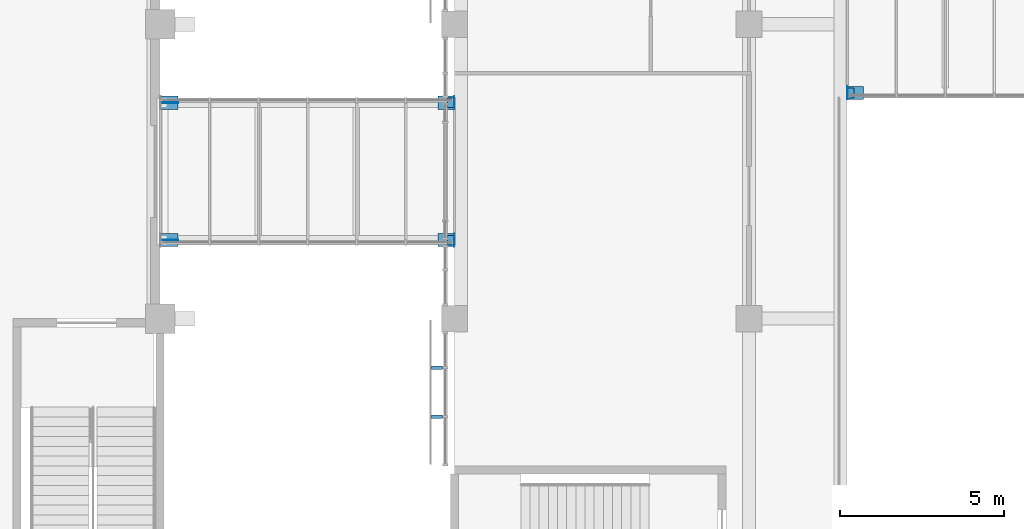
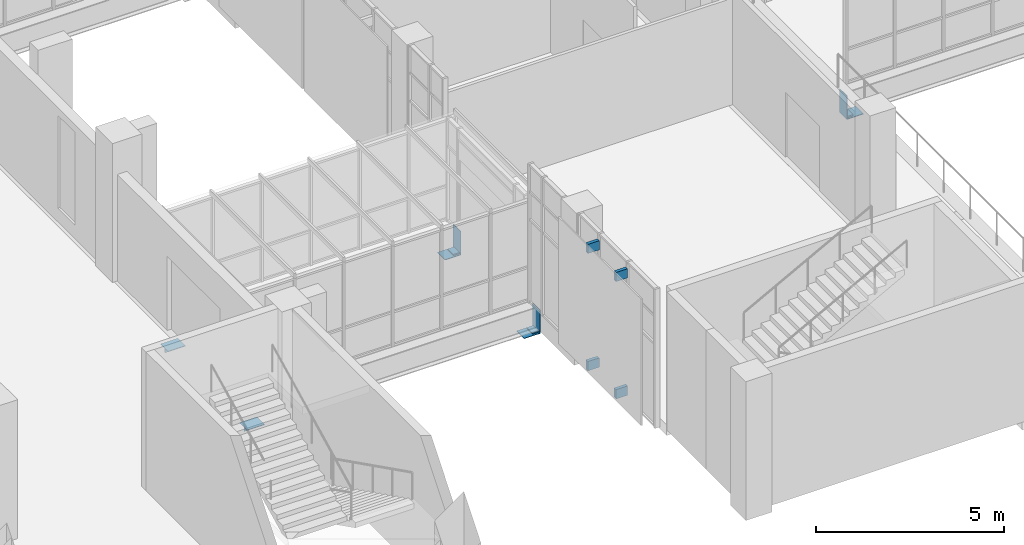
# One storey, part 73 of 88: 17 discrete accessories.
"""IFC4 building model written with IfcOpenShell, lengths in metres."""

from ifc_helpers import new_model, si_unit, direction, frame, origin, origin_2d, place, context, subcontext, project, spatial, rectangle, extrude, material, layer, layer_set, type_object, element, save


model = new_model("IFC4")

# Units and contexts
model_context = context("Model", 3, precision=1e-05, world=origin(), true_north=direction((0.0, 1.0)))
body_context = subcontext(model_context, "Body", "Model", "MODEL_VIEW")
ifc_project = project(units=[si_unit("LENGTHUNIT", "METRE"), si_unit("AREAUNIT", "SQUARE_METRE"), si_unit("VOLUMEUNIT", "CUBIC_METRE"), si_unit("PLANEANGLEUNIT", "RADIAN"), si_unit("MASSUNIT", "GRAM", prefix="KILO")], contexts=[model_context])

# Site, building, storey
site_placement = place(None, origin())
site = spatial("IfcSite", under=ifc_project, at=site_placement, CompositionType="ELEMENT")
building_placement = place(site_placement, origin())
building = spatial("IfcBuilding", under=site, at=building_placement, Name="Guidao Yard Department Store", CompositionType="ELEMENT")
storey_placement = place(building_placement, frame((0.0, 0.0, 6.0)))
storey = spatial("IfcBuildingStorey", under=building, at=storey_placement, Name="L01", CompositionType="ELEMENT", Elevation=6.0)

# Discrete accessories
ifc_material_1 = material(Name="Steel Q355B", Category="steel")
discrete_accessory_type_1 = type_object("IfcDiscreteAccessoryType", Name="Bracket BR2 steel plate", PredefinedType="BRACKET", material=ifc_material_1)
for number, where, z_axis, x_axis, name in (
    (1, (71.465087890625, 51.0, 0.2001953125), (0.0, 0.0, 1.0), (0.0, 1.0, 0.0), "Screen bracket"),
    (2, (71.465087890625, 51.0, 4.0), (0.0, 0.0, 1.0), (0.0, 1.0, 0.0), "Screen bracket"),
    (3, (71.465087890625, 52.5, 0.2001953125), (0.0, 0.0, 1.0), (0.0, 1.0, 0.0), "Screen bracket"),
    (4, (71.465087890625, 52.5, 4.0), (0.0, 0.0, 1.0), (0.0, 1.0, 0.0), "Screen bracket"),
):
    element("IfcDiscreteAccessory", number, at=place(storey_placement, frame(where, z_axis=z_axis, x_axis=x_axis)), inside=storey, type_object=discrete_accessory_type_1, Name=name, PredefinedType="BRACKET", context=body_context, shape_type="SweptSolid", body=[
        extrude(rectangle(XDim=0.10009765625, YDim=0.35009765625, at=origin_2d()), origin(), (0.0, 0.0, 1.0), 0.300048828125),
    ])
ifc_material_2 = material(Name="Steel Q355B", Category="steel")
ifc_layer_1 = layer(ifc_material_2, 0.014892578125)
ifc_layer_set_1 = layer_set([ifc_layer_1], Name="Bridge girder back plate SB1 steel")
discrete_accessory_type_2 = type_object("IfcDiscreteAccessoryType", Name="Bridge girder back plate SB1 steel", PredefinedType="BRACKET", material=ifc_layer_set_1)
for number, where, z_axis, x_axis, name in (
    (5, (71.992431640625, 56.39990234375, -1.10986328125), (0.0, 0.0, 1.0), (1.0, 0.0, 0.0), "Bridge girder back plate BR01S F"),
    (6, (71.992431640625, 60.60009765625, -1.10986328125), (0.0, 0.0, 1.0), (1.0, 0.0, 0.0), "Bridge girder back plate BR01N F"),
    (7, (84.007568359375, 60.89990234375, -1.10986328125), (0.0, 0.0, 1.0), (1.0, 0.0, 0.0), "Bridge girder back plate BR09S F"),
):
    element("IfcDiscreteAccessory", number, at=place(storey_placement, frame(where, z_axis=z_axis, x_axis=x_axis)), inside=storey, type_object=discrete_accessory_type_2, Name=name, PredefinedType="BRACKET", context=body_context, shape_type="SweptSolid", body=[
        extrude(rectangle(XDim=0.014892578125, YDim=0.39990234375, at=origin_2d()), origin(), (0.0, 0.0, 1.0), 0.760009765625),
    ])
ifc_material_3 = material(Name="Steel Q355B", Category="steel")
ifc_layer_2 = layer(ifc_material_3, 0.0400390625)
ifc_layer_set_2 = layer_set([ifc_layer_2], Name="Bridge girder pinned bearing BP1 steel")
discrete_accessory_type_3 = type_object("IfcDiscreteAccessoryType", Name="Bridge girder pinned bearing BP1 steel", PredefinedType="SHOE", material=ifc_layer_set_2)
for number, where, z_axis, x_axis, name in (
    (8, (71.885009765625, 56.39990234375, -1.090087890625), (0.0, 0.0, 1.0), (1.0, 0.0, 0.0), "Bridge girder pinned bearing BR01S"),
    (9, (71.885009765625, 60.60009765625, -1.090087890625), (0.0, 0.0, 1.0), (1.0, 0.0, 0.0), "Bridge girder pinned bearing BR01N"),
    (10, (84.114990234375, 60.89990234375, -1.090087890625), (0.0, 0.0, 1.0), (1.0, 0.0, 0.0), "Bridge girder pinned bearing BR09S"),
):
    element("IfcDiscreteAccessory", number, at=place(storey_placement, frame(where, z_axis=z_axis, x_axis=x_axis)), inside=storey, type_object=discrete_accessory_type_3, Name=name, PredefinedType="SHOE", context=body_context, shape_type="SweptSolid", body=[
        extrude(rectangle(XDim=0.199951171875, YDim=0.300048828125, at=origin_2d()), origin(), (0.0, 0.0, 1.0), 0.0400390625),
    ])
ifc_material_4 = material(Name="Steel Q355B", Category="steel")
ifc_layer_3 = layer(ifc_material_4, 0.02001953125)
ifc_layer_set_3 = layer_set([ifc_layer_3], Name="Bridge girder seat plate SP1 steel 500")
discrete_accessory_type_4 = type_object("IfcDiscreteAccessoryType", Name="Bridge girder seat plate SP1 steel 500", PredefinedType="BRACKET", material=ifc_layer_set_3)
for number, where, z_axis, x_axis, name in (
    (11, (71.742431640625, 56.39990234375, -1.110107421875), (0.0, 0.0, 1.0), (1.0, 0.0, 0.0), "Bridge girder seat plate BR01S F"),
    (12, (71.742431640625, 60.60009765625, -1.110107421875), (0.0, 0.0, 1.0), (1.0, 0.0, 0.0), "Bridge girder seat plate BR01N F"),
    (13, (84.257568359375, 60.89990234375, -1.110107421875), (0.0, 0.0, 1.0), (1.0, 0.0, 0.0), "Bridge girder seat plate BR09S F"),
):
    element("IfcDiscreteAccessory", number, at=place(storey_placement, frame(where, z_axis=z_axis, x_axis=x_axis)), inside=storey, type_object=discrete_accessory_type_4, Name=name, PredefinedType="BRACKET", context=body_context, shape_type="SweptSolid", body=[
        extrude(rectangle(XDim=0.485107421875, YDim=0.39990234375, at=origin_2d()), origin(), (0.0, 0.0, 1.0), 0.02001953125),
    ])
ifc_material_5 = material(Name="Steel Q355B", Category="steel")
ifc_layer_4 = layer(ifc_material_5, 0.02001953125)
ifc_layer_set_4 = layer_set([ifc_layer_4], Name="Bridge girder seat plate SP1 steel 550")
discrete_accessory_type_5 = type_object("IfcDiscreteAccessoryType", Name="Bridge girder seat plate SP1 steel 550", PredefinedType="BRACKET", material=ifc_layer_set_4)
for number, where, z_axis, x_axis, name in (
    (14, (63.282470703125, 56.39990234375, -1.110107421875), (0.0, 0.0, 1.0), (1.0, 0.0, 0.0), "Bridge girder seat plate BR01S S"),
    (15, (63.282470703125, 60.60009765625, -1.110107421875), (0.0, 0.0, 1.0), (1.0, 0.0, 0.0), "Bridge girder seat plate BR01N S"),
):
    element("IfcDiscreteAccessory", number, at=place(storey_placement, frame(where, z_axis=z_axis, x_axis=x_axis)), inside=storey, type_object=discrete_accessory_type_5, Name=name, PredefinedType="BRACKET", context=body_context, shape_type="SweptSolid", body=[
        extrude(rectangle(XDim=0.534912109375, YDim=0.39990234375, at=origin_2d()), origin(), (0.0, 0.0, 1.0), 0.02001953125),
    ])
ifc_material_6 = material(Name="Steel Q355B", Category="steel")
ifc_layer_5 = layer(ifc_material_6, 0.01611328125)
ifc_layer_set_5 = layer_set([ifc_layer_5], Name="Bridge girder seat rib SR1 steel 16")
discrete_accessory_type_6 = type_object("IfcDiscreteAccessoryType", Name="Bridge girder seat rib SR1 steel 16", PredefinedType="BRACKET", material=ifc_layer_set_5)
for number, where, z_axis, x_axis, name in (
    (16, (63.2900390625, 56.39990234375, -1.260009765625), (0.0, 0.0, 1.0), (1.0, 0.0, 0.0), "Bridge girder seat rib BR01S S"),
    (17, (63.2900390625, 60.60009765625, -1.260009765625), (0.0, 0.0, 1.0), (1.0, 0.0, 0.0), "Bridge girder seat rib BR01N S"),
):
    element("IfcDiscreteAccessory", number, at=place(storey_placement, frame(where, z_axis=z_axis, x_axis=x_axis)), inside=storey, type_object=discrete_accessory_type_6, Name=name, PredefinedType="BRACKET", context=body_context, shape_type="SweptSolid", body=[
        extrude(rectangle(XDim=0.52001953125, YDim=0.01611328125, at=origin_2d()), origin(), (0.0, 0.0, 1.0), 0.14990234375),
    ])

save(model, "model.ifc")
